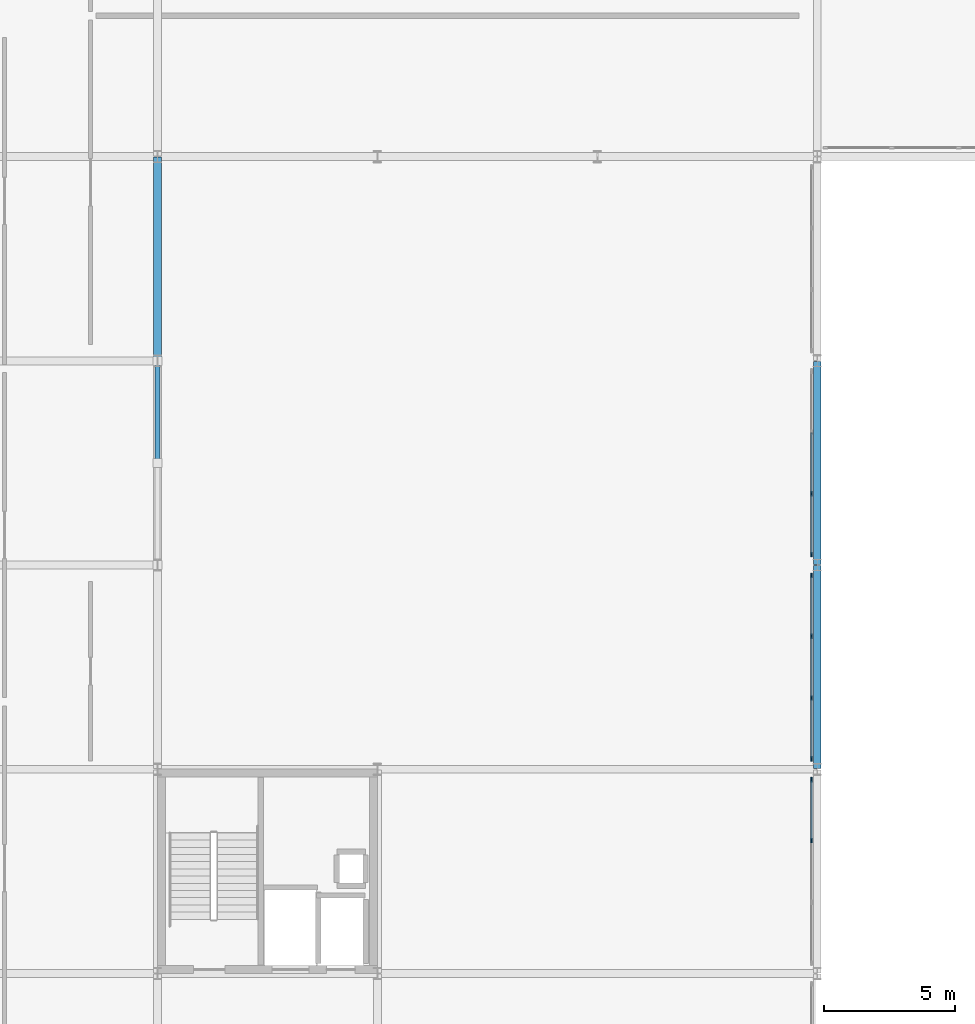
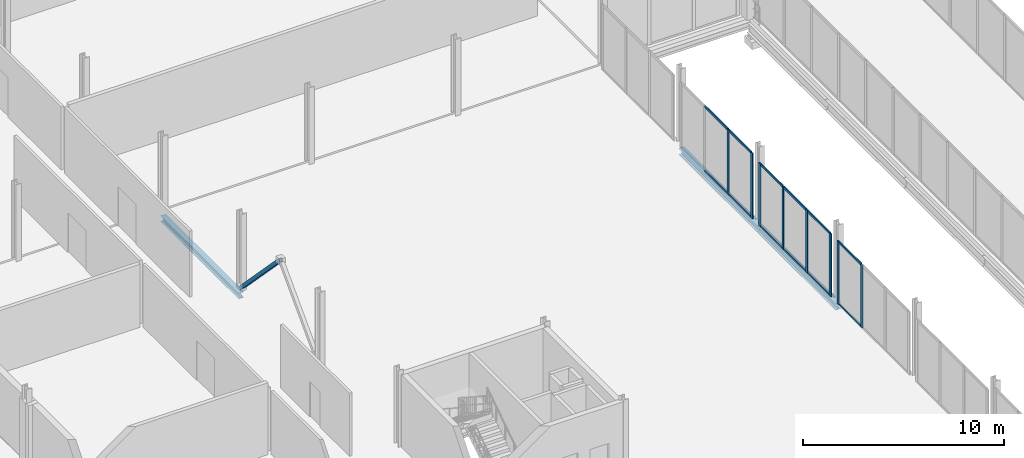
# One storey, part 34 of 98: 21 members, 3 beams, 3 elements without a shape of their own.
"""IFC4 building model written with IfcOpenShell, lengths in metres."""

import ifcopenshell
import ifcopenshell.guid

model = None  # the IFC model being written
_history = None  # IfcOwnerHistory: only IFC2X3 demands one
_inside = {}  # id of a spatial element -> (the spatial element, [elements in it])
_under = {}  # id of a project, library or spatial element -> (it, [spatial elements below it])
_declared = {}  # id of a project -> (the project, [libraries it declares])
_typed = {}  # id of a type object -> (the type object, [elements of that type])
_made_of = {}  # id of a material, layer set ... -> (it, [elements and type objects made of it])


def new_model(schema):
    """Start an empty IFC model of exactly this schema.

    Asked for "IFC4X3", IfcOpenShell would pick the latest addendum, in which some entities
    have other attributes; the version numbers below select the first issue.
    IFC2X3 requires an IfcOwnerHistory on every rooted entity: one is made here for all.
    """
    global model, _history
    if schema == "IFC4X3":
        model = ifcopenshell.file(schema_version=(4, 3, 0, 0))
    else:
        model = ifcopenshell.file(schema=schema)
    _inside.clear()
    _under.clear()
    _declared.clear()
    _typed.clear()
    _made_of.clear()
    _history = None
    if model.schema == "IFC2X3":
        org = make("IfcOrganization", Name="unknown")
        user = make(
            "IfcPersonAndOrganization",
            ThePerson=make("IfcPerson", FamilyName="unknown"),
            TheOrganization=org,
        )
        app = make(
            "IfcApplication",
            ApplicationDeveloper=org,
            Version="unknown",
            ApplicationFullName="unknown",
            ApplicationIdentifier="unknown",
        )
        _history = make(
            "IfcOwnerHistory",
            OwningUser=user,
            OwningApplication=app,
            ChangeAction="ADDED",
            CreationDate=0,
        )
    return model


def make(cls, **values):
    """One entity of the class cls with the attributes given. An attribute that is None is left unset."""
    return model.create_entity(
        cls, **{name: value for name, value in values.items() if value is not None}
    )


def rooted(cls, **values):
    """An entity with a GlobalId (a new one), such as an element, a storey or a relation."""
    return make(cls, GlobalId=ifcopenshell.guid.new(), OwnerHistory=_history, **values)


def si_unit(unit_type, name, prefix=None):
    """IfcSIUnit, for example si_unit("LENGTHUNIT", "METRE", prefix="MILLI")."""
    return make("IfcSIUnit", UnitType=unit_type, Prefix=prefix, Name=name)


def assignment(units):
    """IfcUnitAssignment: the units of a project."""
    return None if units is None else make("IfcUnitAssignment", Units=units)


def point(xyz):
    """IfcCartesianPoint."""
    return None if xyz is None else make("IfcCartesianPoint", Coordinates=xyz)


def direction(xyz):
    """IfcDirection."""
    return None if xyz is None else make("IfcDirection", DirectionRatios=xyz)


def frame(location, z_axis=None, x_axis=None):
    """IfcAxis2Placement3D, a coordinate frame: its origin and axes. An axis left out is left unset."""
    return make(
        "IfcAxis2Placement3D",
        Location=point(location),
        Axis=direction(z_axis),
        RefDirection=direction(x_axis),
    )


def frame_2d(location, x_axis=None):
    """IfcAxis2Placement2D, a coordinate frame in the plane: its origin and x axis."""
    return make(
        "IfcAxis2Placement2D", Location=point(location), RefDirection=direction(x_axis)
    )


def origin():
    """The frame at (0, 0, 0) with its axes left unset."""
    return frame((0.0, 0.0, 0.0))


def origin_2d():
    """The frame at (0, 0) in the plane with its x axis left unset."""
    return frame_2d((0.0, 0.0))


def place(relative_to, where):
    """IfcLocalPlacement: puts the frame where relative to a parent placement (None: the world)."""
    return make(
        "IfcLocalPlacement", PlacementRelTo=relative_to, RelativePlacement=where
    )


def context(
    kind, dimensions, precision=None, world=None, true_north=None, identifier=None
):
    """IfcGeometricRepresentationContext, for example the 3D "Model" context."""
    return make(
        "IfcGeometricRepresentationContext",
        ContextIdentifier=identifier,
        ContextType=kind,
        CoordinateSpaceDimension=dimensions,
        Precision=precision,
        WorldCoordinateSystem=world,
        TrueNorth=true_north,
    )


def subcontext(parent, identifier, kind, view, scale=None):
    """IfcGeometricRepresentationSubContext, for example "Body" below "Model"."""
    return make(
        "IfcGeometricRepresentationSubContext",
        ContextIdentifier=identifier,
        ContextType=kind,
        ParentContext=parent,
        TargetScale=scale,
        TargetView=view,
    )


def project(units=None, contexts=None):
    """IfcProject with its units and contexts."""
    return rooted(
        "IfcProject",
        Name="project",
        RepresentationContexts=contexts,
        UnitsInContext=assignment(units),
    )


def spatial(cls, under=None, at=None, **own):
    """A site, building, storey or space (cls), placed at a placement, below another one or the project."""
    s = rooted(cls, ObjectPlacement=at, **own)
    if under is not None:
        _under.setdefault(under.id(), (under, []))[1].append(s)
    return s


def profile(cls, at=None, kind="AREA", **sizes):
    """A parametric profile (cls). Its sizes go by their IFC names, for example OverallWidth=200.0."""
    return make(cls, ProfileType=kind, Position=at, **sizes)


def rectangle(**sizes):
    """IfcRectangleProfileDef."""
    return profile("IfcRectangleProfileDef", **sizes)


def hollow_rectangle(**sizes):
    """IfcRectangleHollowProfileDef."""
    return profile("IfcRectangleHollowProfileDef", **sizes)


def i_section(**sizes):
    """IfcIShapeProfileDef."""
    return profile("IfcIShapeProfileDef", **sizes)


def extrude(swept, where, along, depth):
    """IfcExtrudedAreaSolid: the profile swept, set in the frame where, extruded along a direction by depth."""
    return make(
        "IfcExtrudedAreaSolid",
        SweptArea=swept,
        Position=where,
        ExtrudedDirection=direction(along),
        Depth=depth,
    )


def shape(context_of_items, identifier, shape_type, items):
    """IfcShapeRepresentation: the items that make up one representation, for example the "Body"."""
    return make(
        "IfcShapeRepresentation",
        ContextOfItems=context_of_items,
        RepresentationIdentifier=identifier,
        RepresentationType=shape_type,
        Items=items,
    )


def material(Name=None, Category=None):
    """IfcMaterial."""
    return make("IfcMaterial", Name=Name, Category=Category)


def material_profile(
    of_material, cross_section, Name=None, Category=None, Priority=None
):
    """IfcMaterialProfile: a cross section and its material."""
    return make(
        "IfcMaterialProfile",
        Name=Name,
        Material=of_material,
        Profile=cross_section,
        Priority=Priority,
        Category=Category,
    )


def profile_set(profiles, Name=None, composite=None):
    """IfcMaterialProfileSet."""
    return make(
        "IfcMaterialProfileSet",
        Name=Name,
        MaterialProfiles=profiles,
        CompositeProfile=composite,
    )


def made_of(thing, what):
    """Note that an element or type object is made of a material, layer set ...; save() writes the relation."""
    if what is not None:
        _made_of.setdefault(what.id(), (what, []))[1].append(thing)
    return thing


def type_object(cls, material=None, **own):
    """A type object (cls), such as IfcWallType, which elements share."""
    return made_of(rooted(cls, **own), material)


def element(
    cls,
    number,
    at=None,
    inside=None,
    cuts=None,
    type_object=None,
    material=None,
    context=None,
    identifier="Body",
    shape_type=None,
    held_by="IfcProductDefinitionShape",
    body=None,
    shapes=None,
    **own,
):
    """One element of the class cls, such as IfcWall. Its Tag is "e" and its number.

    at: its placement. inside: the storey or other place that contains it. cuts: it is an
    opening in that element (IfcRelVoidsElement). A single representation is given by context,
    identifier, shape_type and body (its items); several are given by shapes. held_by: the class
    of the entity that holds the representations. save() writes the other relations.
    """
    e = rooted(cls, Tag="e%d" % number, ObjectPlacement=at, **own)
    if body is not None:
        shapes = [shape(context, identifier, shape_type, body)]
    if shapes is not None:
        e.Representation = make(held_by, Representations=shapes)
    if inside is not None:
        _inside.setdefault(inside.id(), (inside, []))[1].append(e)
    if cuts is not None:
        rooted(
            "IfcRelVoidsElement", RelatingBuildingElement=cuts, RelatedOpeningElement=e
        )
    if type_object is not None:
        _typed.setdefault(type_object.id(), (type_object, []))[1].append(e)
    return made_of(e, material)


def aggregate(whole, parts):
    """IfcRelAggregates: a whole, such as a stair, and the parts it consists of."""
    return rooted("IfcRelAggregates", RelatingObject=whole, RelatedObjects=parts)


def save(model, path):
    """Write the relations noted so far, then the file.

    IfcRelAggregates (storeys below a building ...), IfcRelContainedInSpatialStructure (elements
    in a storey), IfcRelDefinesByType, IfcRelAssociatesMaterial and IfcRelDeclares: one each for
    every whole, place, type object, material and project.
    """
    for whole, parts in _under.values():
        aggregate(whole, parts)
    for where, things in _inside.values():
        rooted(
            "IfcRelContainedInSpatialStructure",
            RelatedElements=things,
            RelatingStructure=where,
        )
    for kind, things in _typed.values():
        rooted("IfcRelDefinesByType", RelatedObjects=things, RelatingType=kind)
    for what, things in _made_of.values():
        rooted("IfcRelAssociatesMaterial", RelatedObjects=things, RelatingMaterial=what)
    for by, libraries in _declared.values():
        rooted("IfcRelDeclares", RelatingContext=by, RelatedDefinitions=libraries)
    model.write(path)


model = new_model("IFC4")

# Units and contexts
model_context = context("Model", 3, precision=1e-05, world=origin(), true_north=direction((0.0, 1.0)))
body_context = subcontext(model_context, "Body", "Model", "MODEL_VIEW")
ifc_project = project(units=[si_unit("LENGTHUNIT", "METRE"), si_unit("AREAUNIT", "SQUARE_METRE"), si_unit("VOLUMEUNIT", "CUBIC_METRE"), si_unit("PLANEANGLEUNIT", "RADIAN"), si_unit("MASSUNIT", "GRAM", prefix="KILO")], contexts=[model_context])

# Site, building, storey
site_placement = place(None, origin())
site = spatial("IfcSite", under=ifc_project, at=site_placement, CompositionType="ELEMENT")
building_placement = place(site_placement, origin())
building = spatial("IfcBuilding", under=site, at=building_placement, Name="Nabrawat Pavilion Hospital", CompositionType="ELEMENT")
storey_placement = place(building_placement, frame((0.0, 0.0, 10.199951171875)))
storey = spatial("IfcBuildingStorey", under=building, at=storey_placement, Name="L02", CompositionType="ELEMENT", Elevation=10.199951171875)

# Curtain wall, members
ifc_material_1 = material(Name="Anodised Aluminium", Category="aluminium")
curtain_wall_type = type_object("IfcCurtainWallType", Name="Healing Garden Cloister Curtain Wall", PredefinedType="USERDEFINED", material=ifc_material_1)
curtain_wall_1_placement = place(storey_placement, origin())
curtain_wall_1 = element("IfcCurtainWall", 1, at=curtain_wall_1_placement, inside=storey, type_object=curtain_wall_type, Name="L02 Healing Garden Cloister Curtain Wall 110", ObjectType="CURTAIN WALL", PredefinedType="USERDEFINED")
ifc_material_profile_1 = material_profile(ifc_material_1, rectangle(XDim=0.06494140625, YDim=0.179931640625, at=origin_2d()), Name="CWM 65x180")
ifc_profile_set_1 = profile_set([ifc_material_profile_1], Name="Anodised Aluminium")
member_type_1 = type_object("IfcMemberType", Name="Healing Garden Cloister Curtain Wall Mullion CWM 65x180", PredefinedType="MULLION", material=ifc_profile_set_1)
member_1_placement = place(storey_placement, frame((58.580078125, 59.67822265625, 0.0), z_axis=(0.0, 0.0, 1.0), x_axis=(-1.0, 0.0, 0.0)))
member_1 = element("IfcMember", 2, at=member_1_placement, type_object=member_type_1, Name="CW-CLN-01 mullion 3", PredefinedType="MULLION", context=body_context, shape_type="SweptSolid", body=[
    extrude(rectangle(XDim=0.06494140625, YDim=0.179931640625, at=origin_2d()), origin(), (0.0, 0.0, 1.0), 3.820068359375),
])
member_2_placement = place(storey_placement, frame((58.580078125, 62.00244140625, 0.0), z_axis=(0.0, 0.0, 1.0), x_axis=(-1.0, 0.0, 0.0)))
member_2 = element("IfcMember", 3, at=member_2_placement, type_object=member_type_1, Name="CW-CLN-01 mullion 4", PredefinedType="MULLION", context=body_context, shape_type="SweptSolid", body=[
    extrude(rectangle(XDim=0.06494140625, YDim=0.179931640625, at=origin_2d()), origin(), (0.0, 0.0, 1.0), 3.820068359375),
])

curtain_wall_2_placement = place(storey_placement, origin())
curtain_wall_2 = element("IfcCurtainWall", 4, at=curtain_wall_2_placement, inside=storey, type_object=curtain_wall_type, Name="L02 Healing Garden Cloister Curtain Wall 111", ObjectType="CURTAIN WALL", PredefinedType="USERDEFINED")
member_3_placement = place(storey_placement, frame((58.580078125, 62.797607421875, 0.0), z_axis=(0.0, 0.0, 1.0), x_axis=(-1.0, 0.0, 0.0)))
member_3 = element("IfcMember", 5, at=member_3_placement, type_object=member_type_1, Name="CW-CLN-01 mullion 1", PredefinedType="MULLION", context=body_context, shape_type="SweptSolid", body=[
    extrude(rectangle(XDim=0.06494140625, YDim=0.179931640625, at=origin_2d()), origin(), (0.0, 0.0, 1.0), 3.820068359375),
])
member_4_placement = place(storey_placement, frame((58.580078125, 65.12158203125, 0.0), z_axis=(0.0, 0.0, 1.0), x_axis=(-1.0, 0.0, 0.0)))
member_4 = element("IfcMember", 6, at=member_4_placement, type_object=member_type_1, Name="CW-CLN-01 mullion 2", PredefinedType="MULLION", context=body_context, shape_type="SweptSolid", body=[
    extrude(rectangle(XDim=0.06494140625, YDim=0.179931640625, at=origin_2d()), origin(), (0.0, 0.0, 1.0), 3.820068359375),
])
member_5_placement = place(storey_placement, frame((58.580078125, 67.478271484375, 0.0), z_axis=(0.0, 0.0, 1.0), x_axis=(-1.0, 0.0, 0.0)))
member_5 = element("IfcMember", 7, at=member_5_placement, type_object=member_type_1, Name="CW-CLN-01 mullion 3", PredefinedType="MULLION", context=body_context, shape_type="SweptSolid", body=[
    extrude(rectangle(XDim=0.06494140625, YDim=0.179931640625, at=origin_2d()), origin(), (0.0, 0.0, 1.0), 3.820068359375),
])
member_6_placement = place(storey_placement, frame((58.580078125, 69.802490234375, 0.0), z_axis=(0.0, 0.0, 1.0), x_axis=(-1.0, 0.0, 0.0)))
member_6 = element("IfcMember", 8, at=member_6_placement, type_object=member_type_1, Name="CW-CLN-01 mullion 4", PredefinedType="MULLION", context=body_context, shape_type="SweptSolid", body=[
    extrude(rectangle(XDim=0.06494140625, YDim=0.179931640625, at=origin_2d()), origin(), (0.0, 0.0, 1.0), 3.820068359375),
])

curtain_wall_3_placement = place(storey_placement, origin())
curtain_wall_3 = element("IfcCurtainWall", 9, at=curtain_wall_3_placement, inside=storey, type_object=curtain_wall_type, Name="L02 Healing Garden Cloister Curtain Wall 112", ObjectType="CURTAIN WALL", PredefinedType="USERDEFINED")
member_7_placement = place(storey_placement, frame((58.580078125, 70.597412109375, 0.0), z_axis=(0.0, 0.0, 1.0), x_axis=(-1.0, 0.0, 0.0)))
member_7 = element("IfcMember", 10, at=member_7_placement, type_object=member_type_1, Name="CW-CLN-01 mullion 1", PredefinedType="MULLION", context=body_context, shape_type="SweptSolid", body=[
    extrude(rectangle(XDim=0.06494140625, YDim=0.179931640625, at=origin_2d()), origin(), (0.0, 0.0, 1.0), 3.969970703125),
])
member_8_placement = place(storey_placement, frame((58.580078125, 72.921630859375, 0.0), z_axis=(0.0, 0.0, 1.0), x_axis=(-1.0, 0.0, 0.0)))
member_8 = element("IfcMember", 11, at=member_8_placement, type_object=member_type_1, Name="CW-CLN-01 mullion 2", PredefinedType="MULLION", context=body_context, shape_type="SweptSolid", body=[
    extrude(rectangle(XDim=0.06494140625, YDim=0.179931640625, at=origin_2d()), origin(), (0.0, 0.0, 1.0), 3.969970703125),
])

# Member
ifc_material_profile_2 = material_profile(ifc_material_1, rectangle(XDim=0.06494140625, YDim=0.135009765625, at=origin_2d()), Name="CWT 65x135")
ifc_profile_set_2 = profile_set([ifc_material_profile_2], Name="Anodised Aluminium")
member_type_2 = type_object("IfcMemberType", Name="Healing Garden Cloister Curtain Wall Transom CWT 65x135", PredefinedType="USERDEFINED", material=ifc_profile_set_2)
member_9_placement = place(storey_placement, frame((58.580078125, 59.7109375, 0.032470703125), z_axis=(0.0, 1.0, 0.0), x_axis=(-1.0, 0.0, 0.0)))
member_9 = element("IfcMember", 12, at=member_9_placement, type_object=member_type_2, Name="CW-CLN-01 transom 3.1", ObjectType="TRANSOM", PredefinedType="USERDEFINED", context=body_context, shape_type="SweptSolid", body=[
    extrude(rectangle(XDim=0.06494140625, YDim=0.135009765625, at=origin_2d()), origin(), (0.0, 0.0, 1.0), 2.259033203125),
])

member_10_placement = place(storey_placement, frame((58.580078125, 59.7109375, 3.78759765625), z_axis=(0.0, 1.0, 0.0), x_axis=(-1.0, 0.0, 0.0)))
member_10 = element("IfcMember", 13, at=member_10_placement, type_object=member_type_2, Name="CW-CLN-01 transom 3.2", ObjectType="TRANSOM", PredefinedType="USERDEFINED", context=body_context, shape_type="SweptSolid", body=[
    extrude(rectangle(XDim=0.06494140625, YDim=0.135009765625, at=origin_2d()), origin(), (0.0, 0.0, 1.0), 2.259033203125),
])

aggregate(curtain_wall_1, [member_1, member_2, member_9, member_10])

member_11_placement = place(storey_placement, frame((58.580078125, 62.830078125, 0.032470703125), z_axis=(0.0, 1.0, 0.0), x_axis=(-1.0, 0.0, 0.0)))
member_11 = element("IfcMember", 14, at=member_11_placement, type_object=member_type_2, Name="CW-CLN-01 transom 1.1", ObjectType="TRANSOM", PredefinedType="USERDEFINED", context=body_context, shape_type="SweptSolid", body=[
    extrude(rectangle(XDim=0.06494140625, YDim=0.135009765625, at=origin_2d()), origin(), (0.0, 0.0, 1.0), 2.259033203125),
])

member_12_placement = place(storey_placement, frame((58.580078125, 62.830078125, 3.78759765625), z_axis=(0.0, 1.0, 0.0), x_axis=(-1.0, 0.0, 0.0)))
member_12 = element("IfcMember", 15, at=member_12_placement, type_object=member_type_2, Name="CW-CLN-01 transom 1.2", ObjectType="TRANSOM", PredefinedType="USERDEFINED", context=body_context, shape_type="SweptSolid", body=[
    extrude(rectangle(XDim=0.06494140625, YDim=0.135009765625, at=origin_2d()), origin(), (0.0, 0.0, 1.0), 2.259033203125),
])

member_13_placement = place(storey_placement, frame((58.580078125, 65.154052734375, 0.032470703125), z_axis=(0.0, 1.0, 0.0), x_axis=(-1.0, 0.0, 0.0)))
member_13 = element("IfcMember", 16, at=member_13_placement, type_object=member_type_2, Name="CW-CLN-01 transom 2.1", ObjectType="TRANSOM", PredefinedType="USERDEFINED", context=body_context, shape_type="SweptSolid", body=[
    extrude(rectangle(XDim=0.06494140625, YDim=0.135009765625, at=origin_2d()), origin(), (0.0, 0.0, 1.0), 2.291748046875),
])

member_14_placement = place(storey_placement, frame((58.580078125, 65.154052734375, 3.78759765625), z_axis=(0.0, 1.0, 0.0), x_axis=(-1.0, 0.0, 0.0)))
member_14 = element("IfcMember", 17, at=member_14_placement, type_object=member_type_2, Name="CW-CLN-01 transom 2.2", ObjectType="TRANSOM", PredefinedType="USERDEFINED", context=body_context, shape_type="SweptSolid", body=[
    extrude(rectangle(XDim=0.06494140625, YDim=0.135009765625, at=origin_2d()), origin(), (0.0, 0.0, 1.0), 2.291748046875),
])

member_15_placement = place(storey_placement, frame((58.580078125, 67.5107421875, 0.032470703125), z_axis=(0.0, 1.0, 0.0), x_axis=(-1.0, 0.0, 0.0)))
member_15 = element("IfcMember", 18, at=member_15_placement, type_object=member_type_2, Name="CW-CLN-01 transom 3.1", ObjectType="TRANSOM", PredefinedType="USERDEFINED", context=body_context, shape_type="SweptSolid", body=[
    extrude(rectangle(XDim=0.06494140625, YDim=0.135009765625, at=origin_2d()), origin(), (0.0, 0.0, 1.0), 2.25927734375),
])

member_16_placement = place(storey_placement, frame((58.580078125, 67.5107421875, 3.78759765625), z_axis=(0.0, 1.0, 0.0), x_axis=(-1.0, 0.0, 0.0)))
member_16 = element("IfcMember", 19, at=member_16_placement, type_object=member_type_2, Name="CW-CLN-01 transom 3.2", ObjectType="TRANSOM", PredefinedType="USERDEFINED", context=body_context, shape_type="SweptSolid", body=[
    extrude(rectangle(XDim=0.06494140625, YDim=0.135009765625, at=origin_2d()), origin(), (0.0, 0.0, 1.0), 2.25927734375),
])

aggregate(curtain_wall_2, [member_3, member_4, member_5, member_6, member_11, member_12, member_13, member_14, member_15, member_16])

member_17_placement = place(storey_placement, frame((58.580078125, 70.6298828125, 0.032470703125), z_axis=(0.0, 1.0, 0.0), x_axis=(-1.0, 0.0, 0.0)))
member_17 = element("IfcMember", 20, at=member_17_placement, type_object=member_type_2, Name="CW-CLN-01 transom 1.1", ObjectType="TRANSOM", PredefinedType="USERDEFINED", context=body_context, shape_type="SweptSolid", body=[
    extrude(rectangle(XDim=0.06494140625, YDim=0.135009765625, at=origin_2d()), origin(), (0.0, 0.0, 1.0), 2.25927734375),
])

member_18_placement = place(storey_placement, frame((58.580078125, 70.6298828125, 3.9375), z_axis=(0.0, 1.0, 0.0), x_axis=(-1.0, 0.0, 0.0)))
member_18 = element("IfcMember", 21, at=member_18_placement, type_object=member_type_2, Name="CW-CLN-01 transom 1.2", ObjectType="TRANSOM", PredefinedType="USERDEFINED", context=body_context, shape_type="SweptSolid", body=[
    extrude(rectangle(XDim=0.06494140625, YDim=0.135009765625, at=origin_2d()), origin(), (0.0, 0.0, 1.0), 2.25927734375),
])

member_19_placement = place(storey_placement, frame((58.580078125, 72.9541015625, 0.032470703125), z_axis=(0.0, 1.0, 0.0), x_axis=(-1.0, 0.0, 0.0)))
member_19 = element("IfcMember", 22, at=member_19_placement, type_object=member_type_2, Name="CW-CLN-01 transom 2.1", ObjectType="TRANSOM", PredefinedType="USERDEFINED", context=body_context, shape_type="SweptSolid", body=[
    extrude(rectangle(XDim=0.06494140625, YDim=0.135009765625, at=origin_2d()), origin(), (0.0, 0.0, 1.0), 2.291748046875),
])

member_20_placement = place(storey_placement, frame((58.580078125, 72.9541015625, 3.9375), z_axis=(0.0, 1.0, 0.0), x_axis=(-1.0, 0.0, 0.0)))
member_20 = element("IfcMember", 23, at=member_20_placement, type_object=member_type_2, Name="CW-CLN-01 transom 2.2", ObjectType="TRANSOM", PredefinedType="USERDEFINED", context=body_context, shape_type="SweptSolid", body=[
    extrude(rectangle(XDim=0.06494140625, YDim=0.135009765625, at=origin_2d()), origin(), (0.0, 0.0, 1.0), 2.291748046875),
])

aggregate(curtain_wall_3, [member_7, member_8, member_17, member_18, member_19, member_20])

ifc_material_2 = material(Name="Steel S355", Category="steel")
ifc_material_profile_3 = material_profile(ifc_material_2, hollow_rectangle(XDim=0.199951171875, YDim=0.199951171875, WallThickness=0.012451171875, at=origin_2d()), Name="SHS 200x200x12.5")
ifc_profile_set_3 = profile_set([ifc_material_profile_3], Name="Steel S355")
member_type_3 = type_object("IfcMemberType", Name="Mid Seismic Chevron Brace SHS 200x200x12.5", PredefinedType="BRACE", material=ifc_profile_set_3)
member_21_placement = place(storey_placement, frame((33.60009765625, 78.0, 0.050048828125), z_axis=(0.0, -0.693628335739, 0.720333070087), x_axis=(1.0, 0.0, 0.0)))
element("IfcMember", 24, at=member_21_placement, inside=storey, type_object=member_type_3, Name="L02 Seismic Concentric Chevron Brace 032", PredefinedType="BRACE", context=body_context, shape_type="SweptSolid", body=[
    extrude(hollow_rectangle(XDim=0.199951171875, YDim=0.199951171875, WallThickness=0.012451171875, at=origin_2d()), origin(), (0.0, 0.0, 1.0), 5.62255859375),
])

# Beams
ifc_material_profile_4 = material_profile(ifc_material_2, i_section(OverallWidth=0.300048828125, OverallDepth=0.389892578125, WebThickness=0.010986328125, FlangeThickness=0.01904296875, FilletRadius=0.027099609375, at=origin_2d()), Name="HEA 400")
ifc_profile_set_4 = profile_set([ifc_material_profile_4], Name="Steel S355")
beam_type_1 = type_object("IfcBeamType", Name="Perimeter Moment Spandrel Beam HEA 400", PredefinedType="SPANDREL", material=ifc_profile_set_4)
for number, where, z_axis, x_axis, name in (
    (25, (58.800048828125, 62.419921875, -0.46484375), (0.0, 1.0, 0.0), (-1.0, 0.0, 0.0), "L02 Primary Y Beam 1228"),
    (26, (58.800048828125, 70.219970703125, -0.46484375), (0.0, 1.0, 0.0), (-1.0, 0.0, 0.0), "L02 Primary Y Beam 1229"),
):
    element("IfcBeam", number, at=place(storey_placement, frame(where, z_axis=z_axis, x_axis=x_axis)), inside=storey, type_object=beam_type_1, Name=name, PredefinedType="SPANDREL", context=body_context, shape_type="SweptSolid", body=[
        extrude(i_section(OverallWidth=0.300048828125, OverallDepth=0.389892578125, WebThickness=0.010986328125, FlangeThickness=0.01904296875, FilletRadius=0.027099609375, at=origin_2d()), origin(), (0.0, 0.0, 1.0), 7.760009765625),
    ])
ifc_material_profile_5 = material_profile(ifc_material_2, i_section(OverallWidth=0.300048828125, OverallDepth=0.35009765625, WebThickness=0.009521484375, FlangeThickness=0.017578125, FilletRadius=0.027099609375, at=origin_2d()), Name="HEA 360")
ifc_profile_set_5 = profile_set([ifc_material_profile_5], Name="Steel S355")
beam_type_2 = type_object("IfcBeamType", Name="Surgical Stiffened Beam HEA 360", PredefinedType="BEAM", material=ifc_profile_set_5)
beam_placement = place(storey_placement, frame((33.60009765625, 78.02001953125, -0.445068359375), z_axis=(0.0, 1.0, 0.0), x_axis=(-1.0, 0.0, 0.0)))
element("IfcBeam", 27, at=beam_placement, inside=storey, type_object=beam_type_2, Name="L02 Primary Y Beam 1218", PredefinedType="BEAM", context=body_context, shape_type="SweptSolid", body=[
    extrude(i_section(OverallWidth=0.300048828125, OverallDepth=0.35009765625, WebThickness=0.009521484375, FlangeThickness=0.017578125, FilletRadius=0.027099609375, at=origin_2d()), origin(), (0.0, 0.0, 1.0), 7.760009765625),
])

save(model, "model.ifc")
